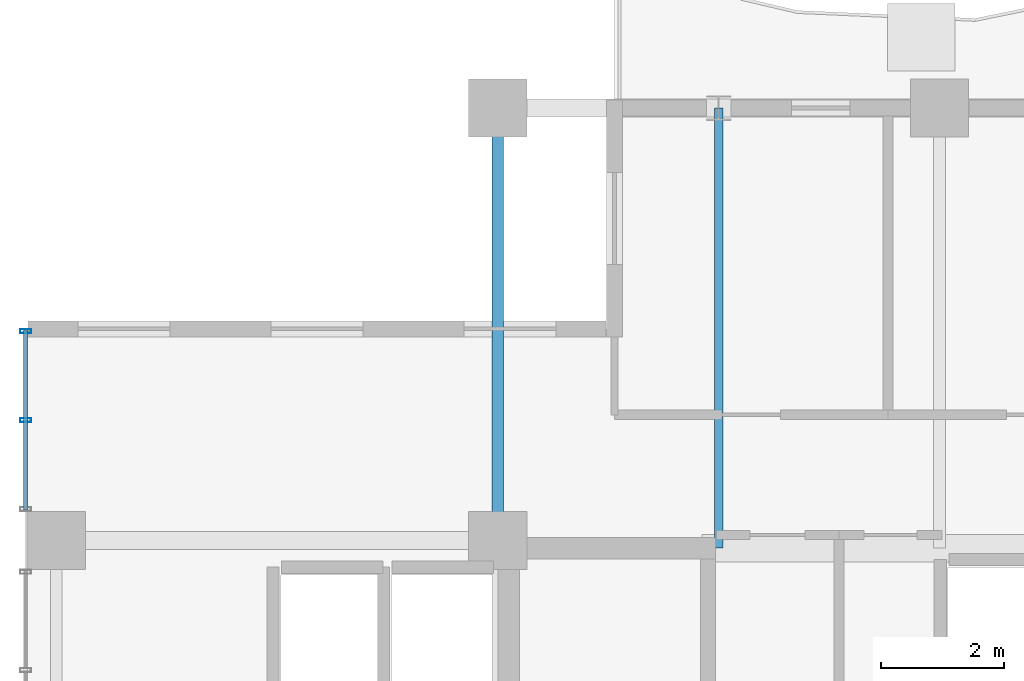
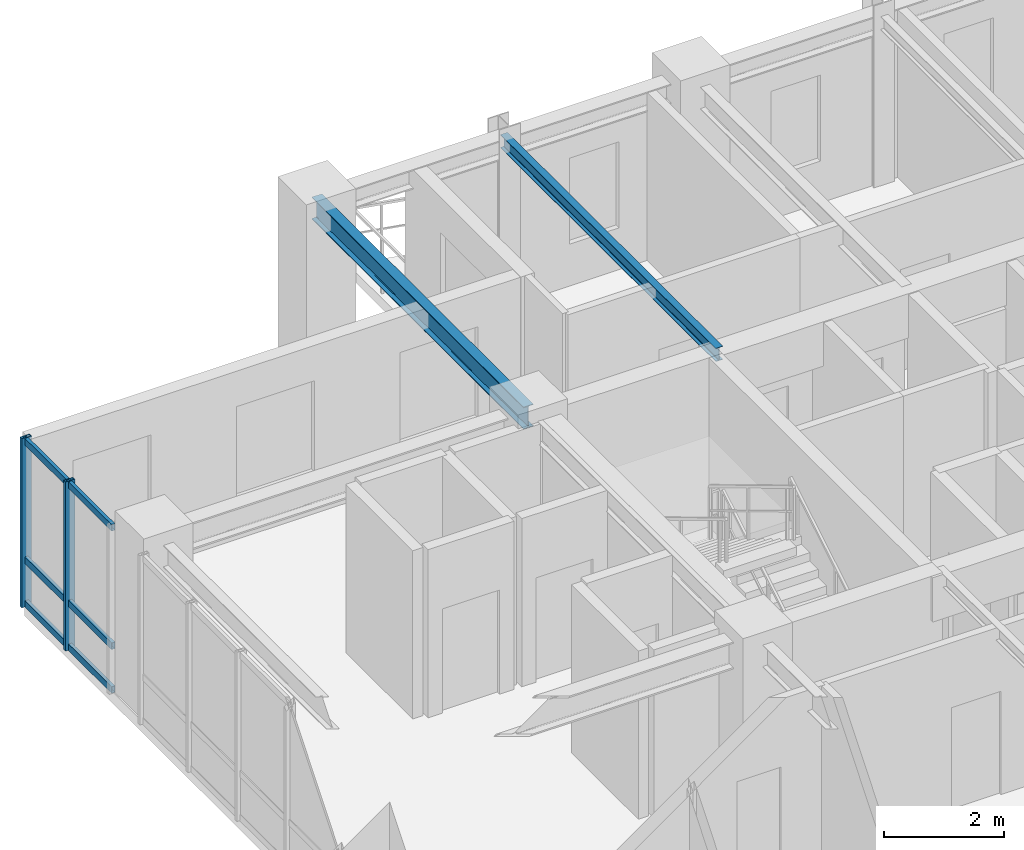
# One storey, part 10 of 20: 5 members, 2 beams, 1 element without a shape of its own.
"""IFC4 building model written with IfcOpenShell, lengths in metres."""

from ifc_helpers import new_model, si_unit, direction, frame, origin, origin_2d, place, context, subcontext, project, spatial, hollow_rectangle, i_section, extrude, source, transform, mapped, material, layer, layer_set, material_profile, profile_set, type_object, element, aggregate, save


model = new_model("IFC4")

# Units and contexts
model_context = context("Model", 3, precision=1e-05, world=origin(), true_north=direction((0.0, 1.0)))
body_context = subcontext(model_context, "Body", "Model", "MODEL_VIEW")
ifc_project = project(units=[si_unit("LENGTHUNIT", "METRE"), si_unit("AREAUNIT", "SQUARE_METRE"), si_unit("VOLUMEUNIT", "CUBIC_METRE"), si_unit("PLANEANGLEUNIT", "RADIAN"), si_unit("MASSUNIT", "GRAM", prefix="KILO")], contexts=[model_context])

# Site, building, storey
site_placement = place(None, origin())
site = spatial("IfcSite", under=ifc_project, at=site_placement, CompositionType="ELEMENT")
building_placement = place(site_placement, origin())
building = spatial("IfcBuilding", under=site, at=building_placement, Name="Kaliganga Portal Commons", CompositionType="ELEMENT")
storey_placement = place(building_placement, frame((0.0, 0.0, 231.39990234375)))
storey = spatial("IfcBuildingStorey", under=building, at=storey_placement, Name="L59", CompositionType="ELEMENT", Elevation=231.39990234375)

# Beams
ifc_material_1 = material(Name="Structural steel S355J2", Category="steel")
ifc_material_profile_1 = material_profile(ifc_material_1, i_section(OverallWidth=0.18994140625, OverallDepth=0.449951171875, WebThickness=0.009521484375, FlangeThickness=0.0146484375, FilletRadius=0.02099609375, at=origin_2d()), Name="IPE 450")
ifc_profile_set_1 = profile_set([ifc_material_profile_1], Name="Structural steel S355J2 wide-flange")
beam_type_1 = type_object("IfcBeamType", Name="BM-FLR-450", PredefinedType="BEAM", material=ifc_profile_set_1)
shared_shape_1 = source(origin(), body_context, "Body", "SweptSolid", [
    extrude(i_section(OverallWidth=0.18994140625, OverallDepth=0.449951171875, WebThickness=0.009521484375, FlangeThickness=0.0146484375, FilletRadius=0.02099609375, at=origin_2d()), origin(), (0.0, 0.0, 1.0), 7.050048828125),
])
beam_1_placement = place(storey_placement, frame((14.39990234375, 36.14990234375, 3.215087890625), z_axis=(0.0, 1.0, 0.0), x_axis=(-1.0, 0.0, 0.0)))
element("IfcBeam", 1, at=beam_1_placement, inside=storey, type_object=beam_type_1, Name="BM G L59 AN144", PredefinedType="BEAM", context=body_context, shape_type="MappedRepresentation", body=[
    mapped(shared_shape_1, transform((0.0, 0.0, 0.0), x_axis=(1.0, 0.0, 0.0), y_axis=(0.0, 1.0, 0.0), z_axis=(0.0, 0.0, 1.0), scale=1.0)),
])
ifc_material_profile_2 = material_profile(ifc_material_1, i_section(OverallWidth=0.135009765625, OverallDepth=0.27001953125, WebThickness=0.006591796875, FlangeThickness=0.01025390625, FilletRadius=0.014892578125, at=origin_2d()), Name="IPE 270")
ifc_profile_set_2 = profile_set([ifc_material_profile_2], Name="Structural steel S355J2 wide-flange")
beam_type_2 = type_object("IfcBeamType", Name="BM-JST-270", PredefinedType="JOIST", material=ifc_profile_set_2)
shared_shape_2 = source(origin(), body_context, "Body", "SweptSolid", [
    extrude(i_section(OverallWidth=0.135009765625, OverallDepth=0.27001953125, WebThickness=0.006591796875, FlangeThickness=0.01025390625, FilletRadius=0.014892578125, at=origin_2d()), origin(), (0.0, 0.0, 1.0), 7.175048828125),
])
beam_2_placement = place(storey_placement, frame((18.0, 36.02490234375, 3.30517578125), z_axis=(0.0, 1.0, 0.0), x_axis=(-1.0, 0.0, 0.0)))
element("IfcBeam", 2, at=beam_2_placement, inside=storey, type_object=beam_type_2, Name="BM G L59 AN180", PredefinedType="JOIST", context=body_context, shape_type="MappedRepresentation", body=[
    mapped(shared_shape_2, transform((0.0, 0.0, 0.0), x_axis=(1.0, 0.0, 0.0), y_axis=(0.0, 1.0, 0.0), z_axis=(0.0, 0.0, 1.0), scale=1.0)),
])

# Curtain wall, members
ifc_material_2 = material(Name="Anodized Aluminium and Laminated Low-E Glass", Category="aluminium")
ifc_layer = layer(ifc_material_2, 0.199951171875)
ifc_layer_set = layer_set([ifc_layer], Name="Anodized Aluminium and Laminated Low-E Glass")
curtain_wall_type = type_object("IfcCurtainWallType", Name="CW-SYS-02", PredefinedType="NOTDEFINED", material=ifc_layer_set)
curtain_wall_placement = place(storey_placement, origin())
curtain_wall = element("IfcCurtainWall", 3, at=curtain_wall_placement, inside=storey, type_object=curtain_wall_type, Name="CW 02 L59 P1E09S1", PredefinedType="NOTDEFINED")
ifc_material_3 = material(Name="Dark Bronze Anodized Aluminium", Category="aluminium")
ifc_material_profile_3 = material_profile(ifc_material_3, hollow_rectangle(XDim=0.06494140625, YDim=0.179931640625, WallThickness=0.00390625, at=origin_2d()), Name="ALU MULL 65x180x4")
ifc_profile_set_3 = profile_set([ifc_material_profile_3], Name="Dark Bronze Anodized Aluminium")
member_type_1 = type_object("IfcMemberType", Name="CW-MUL-180", PredefinedType="MULLION", material=ifc_profile_set_3)
shared_shape_3 = source(origin(), body_context, "Body", "SweptSolid", [
    extrude(hollow_rectangle(XDim=0.06494140625, YDim=0.179931640625, WallThickness=0.00390625, at=origin_2d()), origin(), (0.0, 0.0, 1.0), 3.440185546875),
])
member_1_placement = place(storey_placement, frame((6.699951171875, 39.56494140625, 0.0), z_axis=(0.0, 0.0, 1.0), x_axis=(0.0, -1.0, 0.0)))
member_1 = element("IfcMember", 4, at=member_1_placement, type_object=member_type_1, Name="CW:02:L59:P1E09S1 Mullion 00", PredefinedType="MULLION", context=body_context, shape_type="MappedRepresentation", body=[
    mapped(shared_shape_3, transform((0.0, 0.0, 0.0), x_axis=(1.0, 0.0, 0.0), y_axis=(0.0, 1.0, 0.0), z_axis=(0.0, 0.0, 1.0), scale=1.0)),
])
member_2_placement = place(storey_placement, frame((6.699951171875, 38.113037109375, 0.0), z_axis=(0.0, 0.0, 1.0), x_axis=(0.0, -1.0, 0.0)))
member_2 = element("IfcMember", 5, at=member_2_placement, type_object=member_type_1, Name="CW:02:L59:P1E09S1 Mullion 01", PredefinedType="MULLION", context=body_context, shape_type="MappedRepresentation", body=[
    mapped(shared_shape_3, transform((0.0, 0.0, 0.0), x_axis=(1.0, 0.0, 0.0), y_axis=(0.0, 1.0, 0.0), z_axis=(0.0, 0.0, 1.0), scale=1.0)),
])
ifc_material_profile_4 = material_profile(ifc_material_3, hollow_rectangle(XDim=0.06494140625, YDim=0.135009765625, WallThickness=0.00341796875, at=origin_2d()), Name="ALU TRAN 65x135x3.5")
ifc_profile_set_4 = profile_set([ifc_material_profile_4], Name="Dark Bronze Anodized Aluminium")
member_type_2 = type_object("IfcMemberType", Name="CW-TRN-135", PredefinedType="USERDEFINED", material=ifc_profile_set_4)
shared_shape_4 = source(origin(), body_context, "Body", "SweptSolid", [
    extrude(hollow_rectangle(XDim=0.06494140625, YDim=0.135009765625, WallThickness=0.00341796875, at=origin_2d()), origin(), (0.0, 0.0, 1.0), 2.93408203125),
])
member_3_placement = place(storey_placement, frame((6.699951171875, 39.580078125, 0.06005859375), z_axis=(0.0, -1.0, 0.0), x_axis=(1.0, 0.0, 0.0)))
member_3 = element("IfcMember", 6, at=member_3_placement, type_object=member_type_2, Name="CW:02:L59:P1E09S1 Transom 1", ObjectType="TRANSOM", PredefinedType="USERDEFINED", context=body_context, shape_type="MappedRepresentation", body=[
    mapped(shared_shape_4, transform((0.0, 0.0, 0.0), x_axis=(1.0, 0.0, 0.0), y_axis=(0.0, 1.0, 0.0), z_axis=(0.0, 0.0, 1.0), scale=1.0)),
])
member_4_placement = place(storey_placement, frame((6.699951171875, 39.580078125, 0.9501953125), z_axis=(0.0, -1.0, 0.0), x_axis=(1.0, 0.0, 0.0)))
member_4 = element("IfcMember", 7, at=member_4_placement, type_object=member_type_2, Name="CW:02:L59:P1E09S1 Transom 2", ObjectType="TRANSOM", PredefinedType="USERDEFINED", context=body_context, shape_type="MappedRepresentation", body=[
    mapped(shared_shape_4, transform((0.0, 0.0, 0.0), x_axis=(1.0, 0.0, 0.0), y_axis=(0.0, 1.0, 0.0), z_axis=(0.0, 0.0, 1.0), scale=1.0)),
])
member_5_placement = place(storey_placement, frame((6.699951171875, 39.580078125, 3.360107421875), z_axis=(0.0, -1.0, 0.0), x_axis=(1.0, 0.0, 0.0)))
member_5 = element("IfcMember", 8, at=member_5_placement, type_object=member_type_2, Name="CW:02:L59:P1E09S1 Transom 3", ObjectType="TRANSOM", PredefinedType="USERDEFINED", context=body_context, shape_type="MappedRepresentation", body=[
    mapped(shared_shape_4, transform((0.0, 0.0, 0.0), x_axis=(1.0, 0.0, 0.0), y_axis=(0.0, 1.0, 0.0), z_axis=(0.0, 0.0, 1.0), scale=1.0)),
])
aggregate(curtain_wall, [member_1, member_2, member_3, member_4, member_5])

save(model, "model.ifc")
